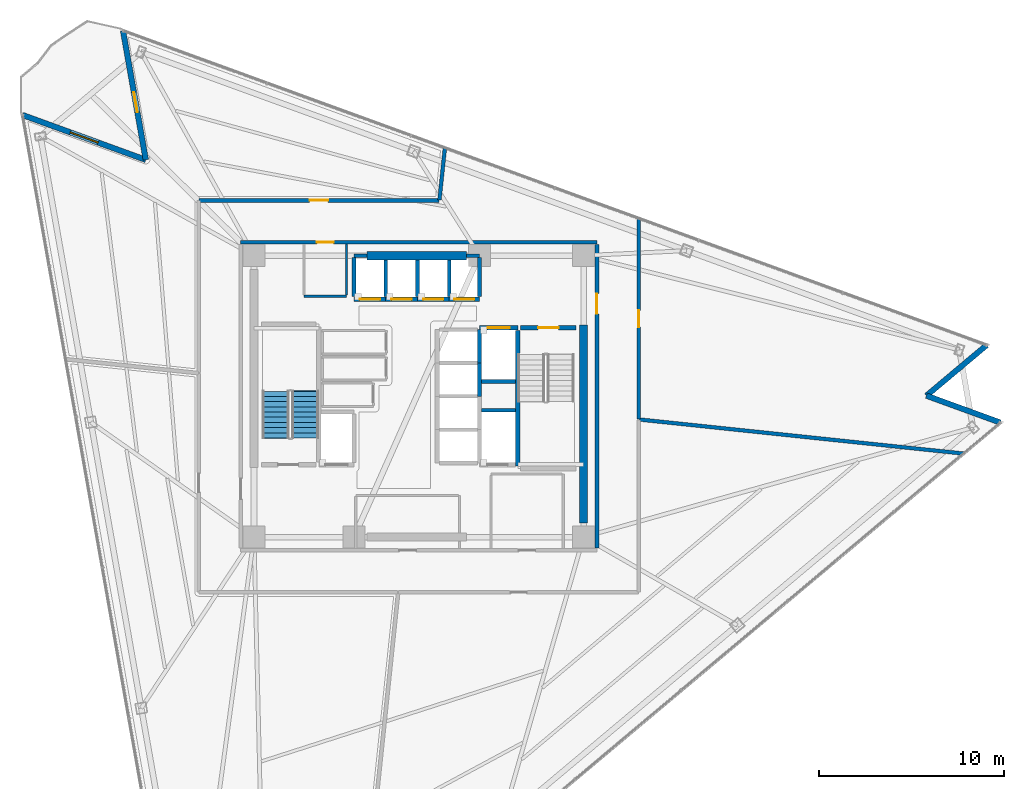
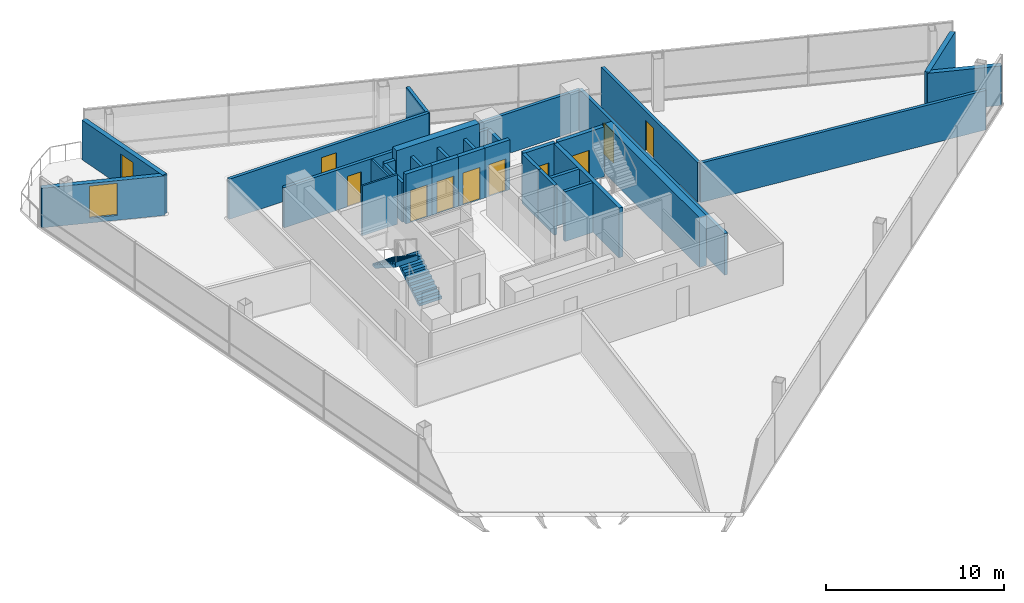
# One storey, part 11 of 17: 32 walls, 11 doors, 2 stair flights, 1 window, 12 openings, 1 element without a shape of its own.
"""IFC4 building model written with IfcOpenShell, lengths in metres."""

from ifc_helpers import new_model, si_unit, direction, frame, frame_2d, origin, place, context, subcontext, project, spatial, polyline, rectangle, outline, extrude, material, layer, layer_set, type_object, element, fill, aggregate, save


model = new_model("IFC4")

# Units and contexts
model_context = context("Model", 3, precision=1e-05, world=origin(), true_north=direction((0.0, 1.0)))
body_context = subcontext(model_context, "Body", "Model", "MODEL_VIEW")
ifc_project = project(units=[si_unit("LENGTHUNIT", "METRE"), si_unit("AREAUNIT", "SQUARE_METRE"), si_unit("VOLUMEUNIT", "CUBIC_METRE"), si_unit("PLANEANGLEUNIT", "RADIAN"), si_unit("MASSUNIT", "GRAM", prefix="KILO")], contexts=[model_context])

# Site, building, storey
site_placement = place(None, origin())
site = spatial("IfcSite", under=ifc_project, at=site_placement, CompositionType="ELEMENT")
building_placement = place(site_placement, origin())
building = spatial("IfcBuilding", under=site, at=building_placement, Name="Tharavind Bronze Gate", CompositionType="ELEMENT")
storey_placement = place(building_placement, frame((0.0, 0.0, 184.89990234375)))
storey = spatial("IfcBuildingStorey", under=building, at=storey_placement, Name="L47", CompositionType="ELEMENT", Elevation=184.89990234375)

# Wall, opening, door
ifc_material_1 = material(Name="Concrete C40/50", Category="concrete")
ifc_layer_1 = layer(ifc_material_1, 0.300048828125)
ifc_layer_set_1 = layer_set([ifc_layer_1], Name="Concrete C40/50")
wall_type_1 = type_object("IfcWallType", Name="EXTERIOR SPANDREL WALL 300", PredefinedType="STANDARD", material=ifc_layer_set_1)
wall_1_placement = place(storey_placement, frame((-15.97314453125, 19.743408203125, 0.0), z_axis=(0.0, 0.0, 1.0), x_axis=(0.173651569749, -0.984807154891, 0.0)))
wall_1 = element("IfcWall", 1, at=wall_1_placement, inside=storey, type_object=wall_type_1, Name="L47 notch cheek wall 1A", PredefinedType="STANDARD", context=body_context, shape_type="SweptSolid", body=[
    extrude(rectangle(XDim=7.080322265625, YDim=0.300048828125, at=frame_2d((3.5400390625, 0.0))), origin(), (0.0, 0.0, 1.0), 2.715087890625),
])
opening_1_placement = place(wall_1_placement, frame((3.3720703125, 0.0, 0.0)))
opening_1 = element("IfcOpeningElement", 2, at=opening_1_placement, cuts=wall_1, Name="Opening ED04", PredefinedType="OPENING", context=body_context, shape_type="SweptSolid", body=[
    extrude(rectangle(XDim=1.10009765625, YDim=2.199951171875, at=frame_2d((0.550048828125, 1.10009765625))), frame((0.0, 0.15990234375, 0.0), z_axis=(0.0, -1.0, 0.0), x_axis=(1.0, 0.0, 0.0)), (0.0, 0.0, 1.0), 0.320048828125),
])
ifc_material_2 = material(Name="Bronze Aluminium & Toughened Glass", Category="aluminium")
door_type_1 = type_object("IfcDoorType", Name="TREE BALCONY ACCESS DOOR 1100X2200", OperationType="SINGLE_SWING_LEFT", PredefinedType="DOOR", material=ifc_material_2)
door_1_placement = place(opening_1_placement, frame((1.10009765625, 0.0, 0.0), z_axis=(0.0, 0.0, 1.0), x_axis=(-1.0, 0.0, 0.0)))
door_1 = element("IfcDoor", 3, at=door_1_placement, inside=storey, type_object=door_type_1, Name="L47 tree balcony access door", OperationType="SINGLE_SWING_LEFT", OverallHeight=2.199951171875, OverallWidth=1.10009765625, PredefinedType="DOOR", context=body_context, shape_type="SweptSolid", body=[
    extrude(rectangle(XDim=1.10009765625, YDim=2.199951171875, at=frame_2d((0.550048828125, 1.10009765625))), frame((0.0, 0.02490234375, 0.0), z_axis=(0.0, -1.0, 0.0), x_axis=(1.0, 0.0, 0.0)), (0.0, 0.0, 1.0), 0.050048828125),
])
fill(opening_1, door_1)

# Wall, opening, window
wall_2_placement = place(storey_placement, frame((-14.74365234375, 12.770751953125, 0.0), z_axis=(0.0, 0.0, 1.0), x_axis=(-0.939687665182, 0.342033758429, 0.0)))
wall_2 = element("IfcWall", 4, at=wall_2_placement, inside=storey, type_object=wall_type_1, Name="L47 notch cheek wall 1B", PredefinedType="STANDARD", context=body_context, shape_type="SweptSolid", body=[
    extrude(rectangle(XDim=7.080078125, YDim=0.300048828125, at=frame_2d((3.5400390625, 0.0))), origin(), (0.0, 0.0, 1.0), 2.715087890625),
])
opening_2_placement = place(wall_2_placement, frame((2.739990234375, 0.0, 0.3349609375)))
opening_2 = element("IfcOpeningElement", 5, at=opening_2_placement, cuts=wall_2, Name="Opening W05", PredefinedType="OPENING", context=body_context, shape_type="SweptSolid", body=[
    extrude(rectangle(XDim=1.60009765625, YDim=2.199951171875, at=frame_2d((0.800048828125, 1.10009765625))), frame((0.0, 0.15990234375, 0.0), z_axis=(0.0, -1.0, 0.0), x_axis=(1.0, 0.0, 0.0)), (0.0, 0.0, 1.0), 0.320048828125),
])
ifc_material_3 = material(Name="Bronze Aluminium & Low-E Glass", Category="aluminium")
window_type = type_object("IfcWindowType", Name="OFFICE NOTCH BRONZE WINDOW 1600X2200", PartitioningType="DOUBLE_PANEL_VERTICAL", PredefinedType="WINDOW", material=ifc_material_3)
window_placement = place(opening_2_placement, origin())
window = element("IfcWindow", 6, at=window_placement, inside=storey, type_object=window_type, Name="L47 exterior window WL-L47-NCB1-01", OverallHeight=2.199951171875, OverallWidth=1.60009765625, PartitioningType="SINGLE_PANEL", PredefinedType="WINDOW", context=body_context, shape_type="SweptSolid", body=[
    extrude(rectangle(XDim=1.60009765625, YDim=2.199951171875, at=frame_2d((0.800048828125, 1.10009765625))), frame((0.0, 0.030029296875, 0.0), z_axis=(0.0, -1.0, 0.0), x_axis=(1.0, 0.0, 0.0)), (0.0, 0.0, 1.0), 0.06005859375),
])
fill(opening_2, window)

# Walls
for number, where, z_axis, x_axis, name in (
    (7, (31.410888671875, -1.418212890625, 0.0), (0.0, 0.0, 1.0), (-0.939672547019, 0.342075290511, 0.0), "L47 notch cheek wall 3A"),
    (8, (27.419189453125, 0.034912109375, 0.0), (0.0, 0.0, 1.0), (0.766054602204, 0.642775502367, 0.0), "L47 notch cheek wall 3B"),
):
    element("IfcWall", number, at=place(storey_placement, frame(where, z_axis=z_axis, x_axis=x_axis)), inside=storey, type_object=wall_type_1, Name=name, PredefinedType="STANDARD", context=body_context, shape_type="SweptSolid", body=[
        extrude(rectangle(XDim=4.248046875, YDim=0.300048828125, at=frame_2d((2.1240234375, 0.0))), origin(), (0.0, 0.0, 1.0), 2.715087890625),
    ])

# Wall, opening, door
ifc_material_4 = material(Name="Aerated Concrete Block", Category="concrete")
ifc_layer_2 = layer(ifc_material_4, 0.199951171875)
ifc_layer_set_2 = layer_set([ifc_layer_2], Name="Aerated Concrete Block")
wall_type_2 = type_object("IfcWallType", Name="FIRE RATED PARTITION 200", PredefinedType="PARTITIONING", material=ifc_layer_set_2)
wall_3_placement = place(storey_placement, frame((9.6201171875, 8.320068359375, 0.0), z_axis=(0.0, 0.0, 1.0), x_axis=(-1.0, 0.0, 0.0)))
wall_3 = element("IfcWall", 9, at=wall_3_placement, inside=storey, type_object=wall_type_2, Name="L47 north core corridor wall", PredefinedType="PARTITIONING", context=body_context, shape_type="SweptSolid", body=[
    extrude(rectangle(XDim=19.240234375, YDim=0.199951171875, at=frame_2d((9.6201171875, 0.0))), origin(), (0.0, 0.0, 1.0), 2.76513671875),
])
opening_3_placement = place(wall_3_placement, frame((14.219970703125, 0.0, 0.0)))
opening_3 = element("IfcOpeningElement", 10, at=opening_3_placement, cuts=wall_3, Name="Opening ID07", PredefinedType="OPENING", context=body_context, shape_type="SweptSolid", body=[
    extrude(rectangle(XDim=0.89990234375, YDim=2.10009765625, at=frame_2d((0.449951171875, 1.050048828125))), frame((0.0, 0.11009765625, 0.0), z_axis=(0.0, -1.0, 0.0), x_axis=(1.0, 0.0, 0.0)), (0.0, 0.0, 1.0), 0.219951171875),
])
ifc_material_5 = material(Name="Galvanised Fire Steel", Category="steel")
door_type_2 = type_object("IfcDoorType", Name="PLANT AND RISER FIRE DOOR 900X2100", OperationType="SINGLE_SWING_LEFT", PredefinedType="DOOR", material=ifc_material_5)
door_2_placement = place(opening_3_placement, origin())
door_2 = element("IfcDoor", 11, at=door_2_placement, inside=storey, type_object=door_type_2, Name="L47 Electrical Switch Cupboard fire door", OperationType="SINGLE_SWING_LEFT", OverallHeight=2.10009765625, OverallWidth=0.89990234375, PredefinedType="DOOR", context=body_context, shape_type="SweptSolid", body=[
    extrude(rectangle(XDim=0.89990234375, YDim=2.10009765625, at=frame_2d((0.449951171875, 1.050048828125))), frame((0.0, 0.02490234375, 0.0), z_axis=(0.0, -1.0, 0.0), x_axis=(1.0, 0.0, 0.0)), (0.0, 0.0, 1.0), 0.050048828125),
])
fill(opening_3, door_2)

wall_4_placement = place(storey_placement, frame((9.6201171875, -8.199951171875, 0.0), z_axis=(0.0, 0.0, 1.0), x_axis=(0.0, 1.0, 0.0)))
wall_4 = element("IfcWall", 12, at=wall_4_placement, inside=storey, type_object=wall_type_2, Name="L47 east core corridor wall", PredefinedType="PARTITIONING", context=body_context, shape_type="SweptSolid", body=[
    extrude(rectangle(XDim=16.39990234375, YDim=0.199951171875, at=frame_2d((8.199951171875, 0.0))), origin(), (0.0, 0.0, 1.0), 2.864990234375),
])
opening_4_placement = place(wall_4_placement, frame((12.64990234375, 0.0, 0.0)))
opening_4 = element("IfcOpeningElement", 13, at=opening_4_placement, cuts=wall_4, Name="Opening ID01", PredefinedType="OPENING", context=body_context, shape_type="SweptSolid", body=[
    extrude(rectangle(XDim=1.10009765625, YDim=2.14990234375, at=frame_2d((0.550048828125, 1.074951171875))), frame((0.0, 0.11009765625, 0.0), z_axis=(0.0, -1.0, 0.0), x_axis=(1.0, 0.0, 0.0)), (0.0, 0.0, 1.0), 0.219951171875),
])
ifc_material_6 = material(Name="Fire-Rated Steel", Category="steel")
door_type_3 = type_object("IfcDoorType", Name="STAIR CORE FIRE DOOR 1100X2150", OperationType="SINGLE_SWING_LEFT", PredefinedType="DOOR", material=ifc_material_6)
door_3_placement = place(opening_4_placement, frame((1.10009765625, 0.0, 0.0), z_axis=(0.0, 0.0, 1.0), x_axis=(-1.0, 0.0, 0.0)))
door_3 = element("IfcDoor", 14, at=door_3_placement, inside=storey, type_object=door_type_3, Name="L47 north east stair lobby fire door", OperationType="SINGLE_SWING_LEFT", OverallHeight=2.14990234375, OverallWidth=1.10009765625, PredefinedType="DOOR", context=body_context, shape_type="SweptSolid", body=[
    extrude(rectangle(XDim=1.10009765625, YDim=2.14990234375, at=frame_2d((0.550048828125, 1.074951171875))), frame((0.0, 0.02490234375, 0.0), z_axis=(0.0, -1.0, 0.0), x_axis=(1.0, 0.0, 0.0)), (0.0, 0.0, 1.0), 0.050048828125),
])
fill(opening_4, door_3)

# Walls
wall_5_placement = place(storey_placement, frame((11.90771484375, -1.25146484375, 0.0), z_axis=(0.0, 0.0, 1.0), x_axis=(0.994521398487, -0.104533190666, 0.0)))
element("IfcWall", 15, at=wall_5_placement, inside=storey, type_object=wall_type_2, Name="L47 Public Restrooms Block partition", PredefinedType="PARTITIONING", context=body_context, shape_type="SweptSolid", body=[
    extrude(rectangle(XDim=17.605224609375, YDim=0.199951171875, at=frame_2d((8.802734375, 0.0))), origin(), (0.0, 0.0, 1.0), 2.715087890625),
])
wall_6_placement = place(storey_placement, frame((1.408203125, 13.39697265625, 0.0), z_axis=(0.0, 0.0, 1.0), x_axis=(-0.104517448482, -0.994523053007, 0.0)))
element("IfcWall", 16, at=wall_6_placement, inside=storey, type_object=wall_type_2, Name="L47 Broadcast Editorial Studio partition", PredefinedType="PARTITIONING", context=body_context, shape_type="SweptSolid", body=[
    extrude(rectangle(XDim=2.81005859375, YDim=0.199951171875, at=frame_2d((1.405029296875, 0.0))), origin(), (0.0, 0.0, 1.0), 2.715087890625),
])

# Wall, opening, door
wall_7_placement = place(storey_placement, frame((1.089599609375, 10.580078125, 0.0), z_axis=(0.0, 0.0, 1.0), x_axis=(-1.0, 0.0, 0.0)))
wall_7 = element("IfcWall", 17, at=wall_7_placement, inside=storey, type_object=wall_type_2, Name="L47 Broadcast Editorial Studio partition", PredefinedType="PARTITIONING", context=body_context, shape_type="SweptSolid", body=[
    extrude(rectangle(XDim=12.968994140625, YDim=0.199951171875, at=frame_2d((6.484375, 0.0))), origin(), (0.0, 0.0, 1.0), 2.76513671875),
])
opening_5_placement = place(wall_7_placement, frame((5.98388671875, 0.0, 0.0)))
opening_5 = element("IfcOpeningElement", 18, at=opening_5_placement, cuts=wall_7, Name="Opening ID04", PredefinedType="OPENING", context=body_context, shape_type="SweptSolid", body=[
    extrude(rectangle(XDim=1.0, YDim=2.14990234375, at=frame_2d((0.5, 1.074951171875))), frame((0.0, 0.11009765625, 0.0), z_axis=(0.0, -1.0, 0.0), x_axis=(1.0, 0.0, 0.0)), (0.0, 0.0, 1.0), 0.219951171875),
])
ifc_material_7 = material(Name="Bronze Framed Acoustic Timber", Category="wood")
door_type_4 = type_object("IfcDoorType", Name="OFFICE TENANCY DOOR 1000X2150", OperationType="SINGLE_SWING_RIGHT", PredefinedType="DOOR", material=ifc_material_7)
door_4_placement = place(opening_5_placement, origin())
door_4 = element("IfcDoor", 19, at=door_4_placement, inside=storey, type_object=door_type_4, Name="L47 Broadcast Editorial Studio door", OperationType="SINGLE_SWING_RIGHT", OverallHeight=2.14990234375, OverallWidth=1.0, PredefinedType="DOOR", context=body_context, shape_type="SweptSolid", body=[
    extrude(rectangle(XDim=1.0, YDim=2.14990234375, at=frame_2d((0.5, 1.074951171875))), frame((0.0, 0.02490234375, 0.0), z_axis=(0.0, -1.0, 0.0), x_axis=(1.0, 0.0, 0.0)), (0.0, 0.0, 1.0), 0.050048828125),
])
fill(opening_5, door_4)

wall_8_placement = place(storey_placement, frame((11.8798828125, -1.22607421875, 0.0), z_axis=(0.0, 0.0, 1.0), x_axis=(0.0, 1.0, 0.0)))
wall_8 = element("IfcWall", 20, at=wall_8_placement, inside=storey, type_object=wall_type_2, Name="L47 Broadcast Tea Pantry partition", PredefinedType="PARTITIONING", context=body_context, shape_type="SweptSolid", body=[
    extrude(rectangle(XDim=10.831787109375, YDim=0.199951171875, at=frame_2d((5.416015625, 0.0))), origin(), (0.0, 0.0, 1.0), 2.715087890625),
])
opening_6_placement = place(wall_8_placement, frame((4.966064453125, 0.0, 0.0)))
opening_6 = element("IfcOpeningElement", 21, at=opening_6_placement, cuts=wall_8, Name="Opening ID07", PredefinedType="OPENING", context=body_context, shape_type="SweptSolid", body=[
    extrude(rectangle(XDim=0.89990234375, YDim=2.10009765625, at=frame_2d((0.449951171875, 1.050048828125))), frame((0.0, 0.11009765625, 0.0), z_axis=(0.0, -1.0, 0.0), x_axis=(1.0, 0.0, 0.0)), (0.0, 0.0, 1.0), 0.219951171875),
])
door_5_placement = place(opening_6_placement, origin())
door_5 = element("IfcDoor", 22, at=door_5_placement, inside=storey, type_object=door_type_2, Name="L47 Broadcast Tea Pantry door", OperationType="SINGLE_SWING_LEFT", OverallHeight=2.10009765625, OverallWidth=0.89990234375, PredefinedType="DOOR", context=body_context, shape_type="SweptSolid", body=[
    extrude(rectangle(XDim=0.89990234375, YDim=2.10009765625, at=frame_2d((0.449951171875, 1.050048828125))), frame((0.0, 0.02490234375, 0.0), z_axis=(0.0, -1.0, 0.0), x_axis=(1.0, 0.0, 0.0)), (0.0, 0.0, 1.0), 0.050048828125),
])
fill(opening_6, door_5)

# Walls
ifc_material_8 = material(Name="Metal Stud Gypsum Partition", Category="gypsum")
ifc_layer_3 = layer(ifc_material_8, 0.1201171875)
ifc_layer_set_3 = layer_set([ifc_layer_3], Name="Metal Stud Gypsum Partition")
wall_type_3 = type_object("IfcWallType", Name="INTERIOR PARTITION WALL 120", PredefinedType="PARTITIONING", material=ifc_layer_set_3)
wall_9_placement = place(storey_placement, frame((-6.199951171875, 5.39990234375, 0.0), z_axis=(0.0, 0.0, 1.0), x_axis=(1.0, 0.0, 0.0)))
element("IfcWall", 23, at=wall_9_placement, inside=storey, type_object=wall_type_3, Name="L47 Electrical Switch Cupboard partition 1", PredefinedType="PARTITIONING", context=body_context, shape_type="SweptSolid", body=[
    extrude(rectangle(XDim=2.300048828125, YDim=0.1201171875, at=frame_2d((1.14990234375, 0.0))), origin(), (0.0, 0.0, 1.0), 3.420166015625),
])
wall_10_placement = place(storey_placement, frame((-3.89990234375, 5.465087890625, 0.0), z_axis=(0.0, 0.0, 1.0), x_axis=(0.0, 1.0, 0.0)))
element("IfcWall", 24, at=wall_10_placement, inside=storey, type_object=wall_type_3, Name="L47 Electrical Switch Cupboard partition 2", PredefinedType="PARTITIONING", context=body_context, shape_type="SweptSolid", body=[
    extrude(rectangle(XDim=2.75, YDim=0.1201171875, at=frame_2d((1.375, 0.0))), origin(), (0.0, 0.0, 1.0), 2.715087890625),
])
ifc_material_9 = material(Name="Concrete C50/60", Category="concrete")
ifc_layer_4 = layer(ifc_material_9, 0.25)
ifc_layer_set_4 = layer_set([ifc_layer_4], Name="Concrete C50/60")
wall_type_4 = type_object("IfcWallType", Name="RC CORE SHEAR WALL 250", PredefinedType="SHEAR", material=ifc_layer_set_4)
wall_11_placement = place(storey_placement, frame((5.35009765625, -3.75, 0.0), z_axis=(0.0, 0.0, 1.0), x_axis=(0.0, 1.0, 0.0)))
element("IfcWall", 25, at=wall_11_placement, inside=storey, type_object=wall_type_4, Name="L47 ST2 shaft west wall", PredefinedType="SHEAR", context=body_context, shape_type="SweptSolid", body=[
    extrude(rectangle(XDim=7.300048828125, YDim=0.25, at=frame_2d((3.64990234375, 0.0))), origin(), (0.0, 0.0, 1.0), 3.420166015625),
])

# Wall, opening, door
wall_12_placement = place(storey_placement, frame((5.5, 3.699951171875, 0.0), z_axis=(0.0, 0.0, 1.0), x_axis=(1.0, 0.0, 0.0)))
wall_12 = element("IfcWall", 26, at=wall_12_placement, inside=storey, type_object=wall_type_4, Name="L47 ST2 shaft north wall", PredefinedType="SHEAR", context=body_context, shape_type="SweptSolid", body=[
    extrude(rectangle(XDim=3.0, YDim=0.25, at=frame_2d((1.5, 0.0))), origin(), (0.0, 0.0, 1.0), 3.420166015625),
])
opening_7_placement = place(wall_12_placement, frame((0.949951171875, 0.0, 0.0)))
opening_7 = element("IfcOpeningElement", 27, at=opening_7_placement, cuts=wall_12, Name="Opening ID01", PredefinedType="OPENING", context=body_context, shape_type="SweptSolid", body=[
    extrude(rectangle(XDim=1.10009765625, YDim=2.14990234375, at=frame_2d((0.550048828125, 1.074951171875))), frame((0.0, 0.135, 0.0), z_axis=(0.0, -1.0, 0.0), x_axis=(1.0, 0.0, 0.0)), (0.0, 0.0, 1.0), 0.27),
])
door_6_placement = place(opening_7_placement, frame((1.10009765625, 0.0, 0.0), z_axis=(0.0, 0.0, 1.0), x_axis=(-1.0, 0.0, 0.0)))
door_6 = element("IfcDoor", 28, at=door_6_placement, inside=storey, type_object=door_type_3, Name="L47 exit stair ST2 fire door", OperationType="SINGLE_SWING_LEFT", OverallHeight=2.14990234375, OverallWidth=1.10009765625, PredefinedType="DOOR", context=body_context, shape_type="SweptSolid", body=[
    extrude(rectangle(XDim=1.10009765625, YDim=2.14990234375, at=frame_2d((0.550048828125, 1.074951171875))), frame((0.0, 0.02490234375, 0.0), z_axis=(0.0, -1.0, 0.0), x_axis=(1.0, 0.0, 0.0)), (0.0, 0.0, 1.0), 0.050048828125),
])
fill(opening_7, door_6)

wall_13_placement = place(storey_placement, frame((-3.5, 5.25, 0.0), z_axis=(0.0, 0.0, 1.0), x_axis=(1.0, 0.0, 0.0)))
wall_13 = element("IfcWall", 29, at=wall_13_placement, inside=storey, type_object=wall_type_4, Name="L47 lift PL5 shaft front wall", PredefinedType="SHEAR", context=body_context, shape_type="SweptSolid", body=[
    extrude(rectangle(XDim=1.71240234375, YDim=0.25, at=frame_2d((0.856201171875, 0.0))), origin(), (0.0, 0.0, 1.0), 3.420166015625),
])
opening_8_placement = place(wall_13_placement, frame((0.305908203125, 0.0, 0.0)))
opening_8 = element("IfcOpeningElement", 30, at=opening_8_placement, cuts=wall_13, Name="Opening LD01", PredefinedType="OPENING", context=body_context, shape_type="SweptSolid", body=[
    extrude(rectangle(XDim=1.10009765625, YDim=2.199951171875, at=frame_2d((0.550048828125, 1.10009765625))), frame((0.0, 0.135, 0.0), z_axis=(0.0, -1.0, 0.0), x_axis=(1.0, 0.0, 0.0)), (0.0, 0.0, 1.0), 0.27),
])
ifc_material_10 = material(Name="Brushed Bronze Stainless Steel", Category="steel")
door_type_5 = type_object("IfcDoorType", Name="LIFT LANDING SLIDING DOOR 1100X2200", OperationType="SLIDING_TO_LEFT", PredefinedType="DOOR", material=ifc_material_10)
door_7_placement = place(opening_8_placement, origin())
door_7 = element("IfcDoor", 31, at=door_7_placement, inside=storey, type_object=door_type_5, Name="L47 lift PL5 sliding landing door", OperationType="SLIDING_TO_LEFT", OverallHeight=2.199951171875, OverallWidth=1.10009765625, PredefinedType="DOOR", context=body_context, shape_type="SweptSolid", body=[
    extrude(rectangle(XDim=1.10009765625, YDim=2.199951171875, at=frame_2d((0.550048828125, 1.10009765625))), frame((0.0, 0.02490234375, 0.0), z_axis=(0.0, -1.0, 0.0), x_axis=(1.0, 0.0, 0.0)), (0.0, 0.0, 1.0), 0.050048828125),
])
fill(opening_8, door_7)

wall_14_placement = place(storey_placement, frame((-1.78759765625, 5.25, 0.0), z_axis=(0.0, 0.0, 1.0), x_axis=(1.0, 0.0, 0.0)))
wall_14 = element("IfcWall", 32, at=wall_14_placement, inside=storey, type_object=wall_type_4, Name="L47 lift PL6 shaft front wall", PredefinedType="SHEAR", context=body_context, shape_type="SweptSolid", body=[
    extrude(rectangle(XDim=1.712646484375, YDim=0.25, at=frame_2d((0.8564453125, 0.0))), origin(), (0.0, 0.0, 1.0), 3.420166015625),
])
opening_9_placement = place(wall_14_placement, frame((0.305908203125, 0.0, 0.0)))
opening_9 = element("IfcOpeningElement", 33, at=opening_9_placement, cuts=wall_14, Name="Opening LD01", PredefinedType="OPENING", context=body_context, shape_type="SweptSolid", body=[
    extrude(rectangle(XDim=1.10009765625, YDim=2.199951171875, at=frame_2d((0.550048828125, 1.10009765625))), frame((0.0, 0.135, 0.0), z_axis=(0.0, -1.0, 0.0), x_axis=(1.0, 0.0, 0.0)), (0.0, 0.0, 1.0), 0.27),
])
door_8_placement = place(opening_9_placement, origin())
door_8 = element("IfcDoor", 34, at=door_8_placement, inside=storey, type_object=door_type_5, Name="L47 lift PL6 sliding landing door", OperationType="SLIDING_TO_LEFT", OverallHeight=2.199951171875, OverallWidth=1.10009765625, PredefinedType="DOOR", context=body_context, shape_type="SweptSolid", body=[
    extrude(rectangle(XDim=1.10009765625, YDim=2.199951171875, at=frame_2d((0.550048828125, 1.10009765625))), frame((0.0, 0.02490234375, 0.0), z_axis=(0.0, -1.0, 0.0), x_axis=(1.0, 0.0, 0.0)), (0.0, 0.0, 1.0), 0.050048828125),
])
fill(opening_9, door_8)

wall_15_placement = place(storey_placement, frame((-0.074951171875, 5.25, 0.0), z_axis=(0.0, 0.0, 1.0), x_axis=(1.0, 0.0, 0.0)))
wall_15 = element("IfcWall", 35, at=wall_15_placement, inside=storey, type_object=wall_type_4, Name="L47 lift PL7 shaft front wall", PredefinedType="SHEAR", context=body_context, shape_type="SweptSolid", body=[
    extrude(rectangle(XDim=1.71240234375, YDim=0.25, at=frame_2d((0.856201171875, 0.0))), origin(), (0.0, 0.0, 1.0), 3.420166015625),
])
opening_10_placement = place(wall_15_placement, frame((0.305908203125, 0.0, 0.0)))
opening_10 = element("IfcOpeningElement", 36, at=opening_10_placement, cuts=wall_15, Name="Opening LD01", PredefinedType="OPENING", context=body_context, shape_type="SweptSolid", body=[
    extrude(rectangle(XDim=1.10009765625, YDim=2.199951171875, at=frame_2d((0.550048828125, 1.10009765625))), frame((0.0, 0.135, 0.0), z_axis=(0.0, -1.0, 0.0), x_axis=(1.0, 0.0, 0.0)), (0.0, 0.0, 1.0), 0.27),
])
door_9_placement = place(opening_10_placement, origin())
door_9 = element("IfcDoor", 37, at=door_9_placement, inside=storey, type_object=door_type_5, Name="L47 lift PL7 sliding landing door", OperationType="SLIDING_TO_LEFT", OverallHeight=2.199951171875, OverallWidth=1.10009765625, PredefinedType="DOOR", context=body_context, shape_type="SweptSolid", body=[
    extrude(rectangle(XDim=1.10009765625, YDim=2.199951171875, at=frame_2d((0.550048828125, 1.10009765625))), frame((0.0, 0.02490234375, 0.0), z_axis=(0.0, -1.0, 0.0), x_axis=(1.0, 0.0, 0.0)), (0.0, 0.0, 1.0), 0.050048828125),
])
fill(opening_10, door_9)

wall_16_placement = place(storey_placement, frame((1.637451171875, 5.25, 0.0), z_axis=(0.0, 0.0, 1.0), x_axis=(1.0, 0.0, 0.0)))
wall_16 = element("IfcWall", 38, at=wall_16_placement, inside=storey, type_object=wall_type_4, Name="L47 lift PL8 shaft front wall", PredefinedType="SHEAR", context=body_context, shape_type="SweptSolid", body=[
    extrude(rectangle(XDim=1.642578125, YDim=0.25, at=frame_2d((0.8212890625, 0.0))), origin(), (0.0, 0.0, 1.0), 3.420166015625),
])
opening_11_placement = place(wall_16_placement, frame((0.27099609375, 0.0, 0.0)))
opening_11 = element("IfcOpeningElement", 39, at=opening_11_placement, cuts=wall_16, Name="Opening LD01", PredefinedType="OPENING", context=body_context, shape_type="SweptSolid", body=[
    extrude(rectangle(XDim=1.10009765625, YDim=2.199951171875, at=frame_2d((0.550048828125, 1.10009765625))), frame((0.0, 0.135, 0.0), z_axis=(0.0, -1.0, 0.0), x_axis=(1.0, 0.0, 0.0)), (0.0, 0.0, 1.0), 0.27),
])
door_10_placement = place(opening_11_placement, origin())
door_10 = element("IfcDoor", 40, at=door_10_placement, inside=storey, type_object=door_type_5, Name="L47 lift PL8 sliding landing door", OperationType="SLIDING_TO_LEFT", OverallHeight=2.199951171875, OverallWidth=1.10009765625, PredefinedType="DOOR", context=body_context, shape_type="SweptSolid", body=[
    extrude(rectangle(XDim=1.10009765625, YDim=2.199951171875, at=frame_2d((0.550048828125, 1.10009765625))), frame((0.0, 0.02490234375, 0.0), z_axis=(0.0, -1.0, 0.0), x_axis=(1.0, 0.0, 0.0)), (0.0, 0.0, 1.0), 0.050048828125),
])
fill(opening_11, door_10)

wall_17_placement = place(storey_placement, frame((3.280029296875, 3.699951171875, 0.0), z_axis=(0.0, 0.0, 1.0), x_axis=(1.0, 0.0, 0.0)))
wall_17 = element("IfcWall", 41, at=wall_17_placement, inside=storey, type_object=wall_type_4, Name="L47 lift FFL2 shaft front wall", PredefinedType="SHEAR", context=body_context, shape_type="SweptSolid", body=[
    extrude(rectangle(XDim=2.070068359375, YDim=0.25, at=frame_2d((1.03515625, 0.0))), origin(), (0.0, 0.0, 1.0), 3.420166015625),
])
opening_12_placement = place(wall_17_placement, frame((0.43505859375, 0.0, 0.0)))
opening_12 = element("IfcOpeningElement", 42, at=opening_12_placement, cuts=wall_17, Name="Opening LD02", PredefinedType="OPENING", context=body_context, shape_type="SweptSolid", body=[
    extrude(rectangle(XDim=1.199951171875, YDim=2.199951171875, at=frame_2d((0.60009765625, 1.10009765625))), frame((0.0, 0.135, 0.0), z_axis=(0.0, -1.0, 0.0), x_axis=(1.0, 0.0, 0.0)), (0.0, 0.0, 1.0), 0.27),
])
ifc_material_11 = material(Name="Brushed Stainless Steel", Category="steel")
door_type_6 = type_object("IfcDoorType", Name="FIREFIGHTING LIFT LANDING DOOR 1200X2200", OperationType="SLIDING_TO_RIGHT", PredefinedType="DOOR", material=ifc_material_11)
door_11_placement = place(opening_12_placement, origin())
door_11 = element("IfcDoor", 43, at=door_11_placement, inside=storey, type_object=door_type_6, Name="L47 lift FFL2 sliding landing door", OperationType="SLIDING_TO_RIGHT", OverallHeight=2.199951171875, OverallWidth=1.199951171875, PredefinedType="DOOR", context=body_context, shape_type="SweptSolid", body=[
    extrude(rectangle(XDim=1.199951171875, YDim=2.199951171875, at=frame_2d((0.60009765625, 1.10009765625))), frame((0.0, 0.02490234375, 0.0), z_axis=(0.0, -1.0, 0.0), x_axis=(1.0, 0.0, 0.0)), (0.0, 0.0, 1.0), 0.050048828125),
])
fill(opening_12, door_11)

# Walls
ifc_material_12 = material(Name="Concrete C60/75", Category="concrete")
ifc_layer_5 = layer(ifc_material_12, 0.449951171875)
ifc_layer_set_5 = layer_set([ifc_layer_5], Name="Concrete C60/75")
wall_type_5 = type_object("IfcWallType", Name="RC CORE SHEAR WALL 450", PredefinedType="SHEAR", material=ifc_layer_set_5)
wall_18_placement = place(storey_placement, frame((-2.800048828125, 7.60009765625, 0.0), z_axis=(0.0, 0.0, 1.0), x_axis=(1.0, 0.0, 0.0)))
element("IfcWall", 44, at=wall_18_placement, inside=storey, type_object=wall_type_5, Name="L47 north core shear wall", PredefinedType="SHEAR", context=body_context, shape_type="SweptSolid", body=[
    extrude(rectangle(XDim=5.380126953125, YDim=0.449951171875, at=frame_2d((2.68994140625, 0.0))), origin(), (0.0, 0.0, 1.0), 3.420166015625),
])
wall_19_placement = place(storey_placement, frame((8.89990234375, -6.85009765625, 0.0), z_axis=(0.0, 0.0, 1.0), x_axis=(0.0, 1.0, 0.0)))
element("IfcWall", 45, at=wall_19_placement, inside=storey, type_object=wall_type_5, Name="L47 east core shear wall", PredefinedType="SHEAR", context=body_context, shape_type="SweptSolid", body=[
    extrude(rectangle(XDim=10.7001953125, YDim=0.449951171875, at=frame_2d((5.35009765625, 0.0))), origin(), (0.0, 0.0, 1.0), 3.420166015625),
])
ifc_layer_6 = layer(ifc_material_1, 0.199951171875)
ifc_layer_set_6 = layer_set([ifc_layer_6], Name="Concrete C40/50")
wall_type_6 = type_object("IfcWallType", Name="SHAFT ENCLOSURE WALL 200", PredefinedType="PARTITIONING", material=ifc_layer_set_6)
wall_20_placement = place(storey_placement, frame((-3.5, 7.60009765625, 0.0), z_axis=(0.0, 0.0, 1.0), x_axis=(1.0, 0.0, 0.0)))
element("IfcWall", 46, at=wall_20_placement, inside=storey, type_object=wall_type_6, Name="L47 lift PL5 shaft N enclosure wall", PredefinedType="PARTITIONING", context=body_context, shape_type="SweptSolid", body=[
    extrude(rectangle(XDim=0.699951171875, YDim=0.199951171875, at=frame_2d((0.35009765625, 0.0))), origin(), (0.0, 0.0, 1.0), 2.715087890625),
])
wall_21_placement = place(storey_placement, frame((-3.5, 5.3798828125, 0.0), z_axis=(0.0, 0.0, 1.0), x_axis=(0.0, 1.0, 0.0)))
element("IfcWall", 47, at=wall_21_placement, inside=storey, type_object=wall_type_6, Name="L47 lift PL5 shaft W enclosure wall", PredefinedType="PARTITIONING", context=body_context, shape_type="SweptSolid", body=[
    extrude(rectangle(XDim=2.115234375, YDim=0.199951171875, at=frame_2d((1.0576171875, 0.0))), origin(), (0.0, 0.0, 1.0), 2.715087890625),
])
for number, where, z_axis, x_axis, name in (
    (48, (-1.78759765625, 5.3798828125, 0.0), (0.0, 0.0, 1.0), (0.0, 1.0, 0.0), "L47 lift PL5 shaft E enclosure wall"),
    (49, (-0.074951171875, 5.3798828125, 0.0), (0.0, 0.0, 1.0), (0.0, 1.0, 0.0), "L47 lift PL6 shaft E enclosure wall"),
    (50, (1.637451171875, 5.3798828125, 0.0), (0.0, 0.0, 1.0), (0.0, 1.0, 0.0), "L47 lift PL7 shaft E enclosure wall"),
):
    element("IfcWall", number, at=place(storey_placement, frame(where, z_axis=z_axis, x_axis=x_axis)), inside=storey, type_object=wall_type_6, Name=name, PredefinedType="PARTITIONING", context=body_context, shape_type="SweptSolid", body=[
        extrude(rectangle(XDim=1.990234375, YDim=0.199951171875, at=frame_2d((0.9951171875, 0.0))), origin(), (0.0, 0.0, 1.0), 2.715087890625),
    ])
wall_22_placement = place(storey_placement, frame((2.580078125, 7.60009765625, 0.0), z_axis=(0.0, 0.0, 1.0), x_axis=(1.0, 0.0, 0.0)))
element("IfcWall", 51, at=wall_22_placement, inside=storey, type_object=wall_type_6, Name="L47 lift PL8 shaft N enclosure wall", PredefinedType="PARTITIONING", context=body_context, shape_type="SweptSolid", body=[
    extrude(rectangle(XDim=0.699951171875, YDim=0.199951171875, at=frame_2d((0.35009765625, 0.0))), origin(), (0.0, 0.0, 1.0), 2.715087890625),
])
wall_23_placement = place(storey_placement, frame((3.280029296875, 5.3798828125, 0.0), z_axis=(0.0, 0.0, 1.0), x_axis=(0.0, 1.0, 0.0)))
element("IfcWall", 52, at=wall_23_placement, inside=storey, type_object=wall_type_6, Name="L47 lift PL8 shaft E enclosure wall", PredefinedType="PARTITIONING", context=body_context, shape_type="SweptSolid", body=[
    extrude(rectangle(XDim=2.115234375, YDim=0.199951171875, at=frame_2d((1.0576171875, 0.0))), origin(), (0.0, 0.0, 1.0), 2.715087890625),
])
for number, where, z_axis, x_axis, name in (
    (53, (3.280029296875, 0.0, 0.0), (0.0, 0.0, 1.0), (0.0, 1.0, 0.0), "L47 lift PL11 shaft E enclosure wall"),
    (54, (3.280029296875, 1.800048828125, 0.0), (0.0, 0.0, 1.0), (0.0, 1.0, 0.0), "L47 lift PL12 shaft E enclosure wall"),
):
    element("IfcWall", number, at=place(storey_placement, frame(where, z_axis=z_axis, x_axis=x_axis)), inside=storey, type_object=wall_type_6, Name=name, PredefinedType="PARTITIONING", context=body_context, shape_type="SweptSolid", body=[
        extrude(rectangle(XDim=1.800048828125, YDim=0.199951171875, at=frame_2d((0.89990234375, 0.0))), origin(), (0.0, 0.0, 1.0), 3.420166015625),
    ])
for number, where, z_axis, x_axis, name in (
    (55, (3.385009765625, 0.800048828125, 0.0), (0.0, 0.0, 1.0), (1.0, 0.0, 0.0), "L47 lift FFL2 shaft S enclosure wall"),
    (56, (3.385009765625, -0.75, 0.0), (0.0, 0.0, 1.0), (1.0, 0.0, 0.0), "L47 lift SVL1 shaft N enclosure wall"),
):
    element("IfcWall", number, at=place(storey_placement, frame(where, z_axis=z_axis, x_axis=x_axis)), inside=storey, type_object=wall_type_6, Name=name, PredefinedType="PARTITIONING", context=body_context, shape_type="SweptSolid", body=[
        extrude(rectangle(XDim=1.8349609375, YDim=0.199951171875, at=frame_2d((0.91748046875, 0.0))), origin(), (0.0, 0.0, 1.0), 3.420166015625),
    ])

# Stair, stair flights
stair_type = type_object("IfcStairType", Name="CORE HALF TURN STAIR 1450", PredefinedType="HALF_TURN_STAIR", material=ifc_material_1)
stair_placement = place(storey_placement, origin())
stair = element("IfcStair", 57, at=stair_placement, inside=storey, type_object=stair_type, Name="L47 Protected Exit Stair ST1", PredefinedType="HALF_TURN_STAIR")
stair_flight_type = type_object("IfcStairFlightType", Name="CORE STAIR FLIGHT 1450", PredefinedType="STRAIGHT", material=ifc_material_1)
stair_flight_1_placement = place(storey_placement, frame((-6.125, -2.25, 0.0), z_axis=(0.0, 0.0, 1.0), x_axis=(0.0, 1.0, 0.0)))
stair_flight_1 = element("IfcStairFlight", 58, at=stair_flight_1_placement, type_object=stair_flight_type, Name="ST1 flight 1", NumberOfRisers=10, NumberOfTreads=9, PredefinedType="STRAIGHT", RiserHeight=0.18, TreadLength=0.28, context=body_context, shape_type="SweptSolid", body=[
    extrude(outline(polyline([(0.0, 0.0), (0.0, 0.179931640625), (0.280029296875, 0.179931640625), (0.280029296875, 0.360107421875), (0.56005859375, 0.360107421875), (0.56005859375, 0.5400390625), (0.840087890625, 0.5400390625), (0.840087890625, 0.719970703125), (1.1201171875, 0.719970703125), (1.1201171875, 0.89990234375), (1.39990234375, 0.89990234375), (1.39990234375, 1.080078125), (1.679931640625, 1.080078125), (1.679931640625, 1.260009765625), (1.9599609375, 1.260009765625), (1.9599609375, 1.43994140625), (2.239990234375, 1.43994140625), (2.239990234375, 1.6201171875), (2.52001953125, 1.6201171875), (2.52001953125, 1.800048828125), (2.555908203125, 1.800048828125), (2.555908203125, 1.44189453125), (0.277099609375, 0.0), (0.0, 0.0)])), frame((0.0, 0.72509765625, 0.0), z_axis=(0.0, -1.0, 0.0), x_axis=(1.0, 0.0, 0.0)), (0.0, 0.0, 1.0), 1.449951171875),
])
stair_flight_2_placement = place(storey_placement, frame((-7.72509765625, 0.27001953125, 1.800048828125), z_axis=(0.0, 0.0, 1.0), x_axis=(0.0, -1.0, 0.0)))
stair_flight_2 = element("IfcStairFlight", 59, at=stair_flight_2_placement, type_object=stair_flight_type, Name="ST1 flight 2", NumberOfRisers=10, NumberOfTreads=9, PredefinedType="STRAIGHT", RiserHeight=0.18, TreadLength=0.28, context=body_context, shape_type="SweptSolid", body=[
    extrude(outline(polyline([(0.0, 0.0), (0.0, 0.179931640625), (0.280029296875, 0.179931640625), (0.280029296875, 0.360107421875), (0.56005859375, 0.360107421875), (0.56005859375, 0.5400390625), (0.840087890625, 0.5400390625), (0.840087890625, 0.719970703125), (1.1201171875, 0.719970703125), (1.1201171875, 0.89990234375), (1.39990234375, 0.89990234375), (1.39990234375, 1.080078125), (1.679931640625, 1.080078125), (1.679931640625, 1.260009765625), (1.9599609375, 1.260009765625), (1.9599609375, 1.43994140625), (2.239990234375, 1.43994140625), (2.239990234375, 1.6201171875), (2.52001953125, 1.6201171875), (2.52001953125, 1.800048828125), (2.555908203125, 1.800048828125), (2.555908203125, 1.44189453125), (0.277099609375, 0.0), (0.0, 0.0)])), frame((0.0, 0.72509765625, 0.0), z_axis=(0.0, -1.0, 0.0), x_axis=(1.0, 0.0, 0.0)), (0.0, 0.0, 1.0), 1.449951171875),
])
aggregate(stair, [stair_flight_1, stair_flight_2])

save(model, "model.ifc")
